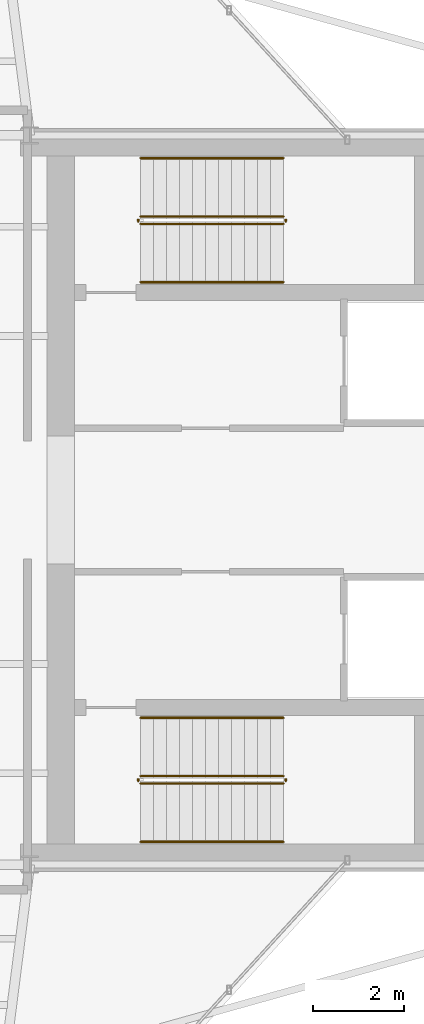
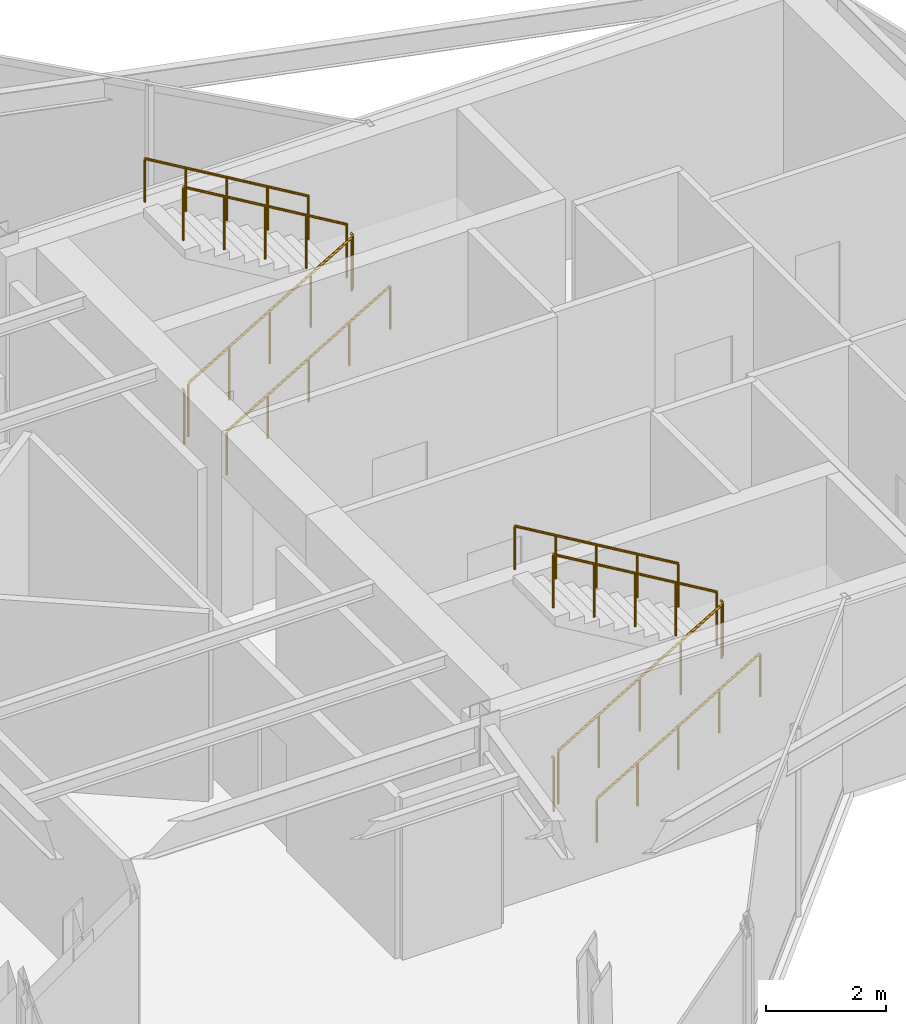
# One storey, part 13 of 13: 12 railings.
"""IFC4 building model written with IfcOpenShell, lengths in metres."""

from ifc_helpers import new_model, si_unit, direction, frame, origin, origin_2d, place, context, subcontext, project, spatial, circle, extrude, material, type_object, element, save


model = new_model("IFC4")

# Units and contexts
model_context = context("Model", 3, precision=1e-05, world=origin(), true_north=direction((0.0, 1.0)))
body_context = subcontext(model_context, "Body", "Model", "MODEL_VIEW")
ifc_project = project(units=[si_unit("LENGTHUNIT", "METRE"), si_unit("AREAUNIT", "SQUARE_METRE"), si_unit("VOLUMEUNIT", "CUBIC_METRE"), si_unit("PLANEANGLEUNIT", "RADIAN"), si_unit("MASSUNIT", "GRAM", prefix="KILO")], contexts=[model_context])

# Site, building, storey
site_placement = place(None, origin())
site = spatial("IfcSite", under=ifc_project, at=site_placement, CompositionType="ELEMENT")
building_placement = place(site_placement, origin())
building = spatial("IfcBuilding", under=site, at=building_placement, Name="Veymaron Broadcast Tower", CompositionType="ELEMENT")
storey_placement = place(building_placement, frame((0.0, 0.0, 287.10009765625)))
storey = spatial("IfcBuildingStorey", under=building, at=storey_placement, Name="L67", CompositionType="ELEMENT", Elevation=287.10009765625)

# Railings
ifc_material_1 = material(Name="Brushed stainless steel AISI 304", Category="steel")
railing_type_1 = type_object("IfcRailingType", Name="RAIL-STAIR-HR", PredefinedType="HANDRAIL", material=ifc_material_1)
railing_1_placement = place(storey_placement, frame((41.429931640625, 28.780029296875, 0.168701171875)))
element("IfcRailing", 1, at=railing_1_placement, inside=storey, type_object=railing_type_1, Name="L67 ST1 stair handrail 1", PredefinedType="HANDRAIL", context=body_context, shape_type="SweptSolid", body=[
    extrude(circle(Radius=0.02392578125, at=origin_2d()), frame((0.0, 0.0, 0.8759765625), z_axis=(0.860481960309, 0.0, 0.509480908359), x_axis=(0.0, 1.0, 0.0)), (0.0, 0.0, 1.0), 3.643310546875),
    extrude(circle(Radius=0.02099609375, at=origin_2d()), origin(), (0.0, 0.0, 1.0), 0.851806640625),
    extrude(circle(Radius=0.02099609375, at=origin_2d()), frame((0.78369140625, 0.0, 0.464111328125)), (0.0, 0.0, 1.0), 0.851806640625),
    extrude(circle(Radius=0.02099609375, at=origin_2d()), frame((1.5673828125, 0.0, 0.92822265625)), (0.0, 0.0, 1.0), 0.851806640625),
    extrude(circle(Radius=0.02099609375, at=origin_2d()), frame((2.351318359375, 0.0, 1.39208984375)), (0.0, 0.0, 1.0), 0.851806640625),
    extrude(circle(Radius=0.02099609375, at=origin_2d()), frame((3.135009765625, 0.0, 1.856201171875)), (0.0, 0.0, 1.0), 0.851806640625),
])
railing_2_placement = place(storey_placement, frame((44.56494140625, 31.5, 2.193603515625)))
element("IfcRailing", 2, at=railing_2_placement, inside=storey, type_object=railing_type_1, Name="L67 ST1 stair handrail 2", PredefinedType="HANDRAIL", context=body_context, shape_type="SweptSolid", body=[
    extrude(circle(Radius=0.02392578125, at=origin_2d()), frame((0.0, 0.0, 0.8759765625), z_axis=(-0.860481960309, 0.0, 0.509480908359), x_axis=(0.0, -1.0, 0.0)), (0.0, 0.0, 1.0), 3.643310546875),
    extrude(circle(Radius=0.02099609375, at=origin_2d()), origin(), (0.0, 0.0, 1.0), 0.851806640625),
    extrude(circle(Radius=0.02099609375, at=origin_2d()), frame((-0.78369140625, 0.0, 0.464111328125)), (0.0, 0.0, 1.0), 0.851806640625),
    extrude(circle(Radius=0.02099609375, at=origin_2d()), frame((-1.5673828125, 0.0, 0.92822265625)), (0.0, 0.0, 1.0), 0.851806640625),
    extrude(circle(Radius=0.02099609375, at=origin_2d()), frame((-2.351318359375, 0.0, 1.39208984375)), (0.0, 0.0, 1.0), 0.851806640625),
    extrude(circle(Radius=0.02099609375, at=origin_2d()), frame((-3.135009765625, 0.0, 1.856201171875)), (0.0, 0.0, 1.0), 0.851806640625),
])
railing_3_placement = place(storey_placement, frame((41.429931640625, 16.5, 0.168701171875)))
element("IfcRailing", 3, at=railing_3_placement, inside=storey, type_object=railing_type_1, Name="L67 ST2 stair handrail 1", PredefinedType="HANDRAIL", context=body_context, shape_type="SweptSolid", body=[
    extrude(circle(Radius=0.02392578125, at=origin_2d()), frame((0.0, 0.0, 0.8759765625), z_axis=(0.860481960309, 0.0, 0.509480908359), x_axis=(0.0, 1.0, 0.0)), (0.0, 0.0, 1.0), 3.643310546875),
    extrude(circle(Radius=0.02099609375, at=origin_2d()), origin(), (0.0, 0.0, 1.0), 0.851806640625),
    extrude(circle(Radius=0.02099609375, at=origin_2d()), frame((0.78369140625, 0.0, 0.464111328125)), (0.0, 0.0, 1.0), 0.851806640625),
    extrude(circle(Radius=0.02099609375, at=origin_2d()), frame((1.5673828125, 0.0, 0.92822265625)), (0.0, 0.0, 1.0), 0.851806640625),
    extrude(circle(Radius=0.02099609375, at=origin_2d()), frame((2.351318359375, 0.0, 1.39208984375)), (0.0, 0.0, 1.0), 0.851806640625),
    extrude(circle(Radius=0.02099609375, at=origin_2d()), frame((3.135009765625, 0.0, 1.856201171875)), (0.0, 0.0, 1.0), 0.851806640625),
])
railing_4_placement = place(storey_placement, frame((44.56494140625, 19.219970703125, 2.193603515625)))
element("IfcRailing", 4, at=railing_4_placement, inside=storey, type_object=railing_type_1, Name="L67 ST2 stair handrail 2", PredefinedType="HANDRAIL", context=body_context, shape_type="SweptSolid", body=[
    extrude(circle(Radius=0.02392578125, at=origin_2d()), frame((0.0, 0.0, 0.8759765625), z_axis=(-0.860481960309, 0.0, 0.509480908359), x_axis=(0.0, -1.0, 0.0)), (0.0, 0.0, 1.0), 3.643310546875),
    extrude(circle(Radius=0.02099609375, at=origin_2d()), origin(), (0.0, 0.0, 1.0), 0.851806640625),
    extrude(circle(Radius=0.02099609375, at=origin_2d()), frame((-0.78369140625, 0.0, 0.464111328125)), (0.0, 0.0, 1.0), 0.851806640625),
    extrude(circle(Radius=0.02099609375, at=origin_2d()), frame((-1.5673828125, 0.0, 0.92822265625)), (0.0, 0.0, 1.0), 0.851806640625),
    extrude(circle(Radius=0.02099609375, at=origin_2d()), frame((-2.351318359375, 0.0, 1.39208984375)), (0.0, 0.0, 1.0), 0.851806640625),
    extrude(circle(Radius=0.02099609375, at=origin_2d()), frame((-3.135009765625, 0.0, 1.856201171875)), (0.0, 0.0, 1.0), 0.851806640625),
])
ifc_material_2 = material(Name="Painted galvanized steel balustrade", Category="steel")
railing_type_2 = type_object("IfcRailingType", Name="RAIL-WELL-GRD", PredefinedType="GUARDRAIL", material=ifc_material_2)
railing_5_placement = place(storey_placement, frame((41.429931640625, 30.06005859375, 0.168701171875)))
element("IfcRailing", 5, at=railing_5_placement, inside=storey, type_object=railing_type_2, Name="L67 ST1 stair guard 1", PredefinedType="GUARDRAIL", context=body_context, shape_type="SweptSolid", body=[
    extrude(circle(Radius=0.02392578125, at=origin_2d()), frame((0.0, 0.0, 1.076171875), z_axis=(0.860481960309, 0.0, 0.509480908359), x_axis=(0.0, 1.0, 0.0)), (0.0, 0.0, 1.0), 3.643310546875),
    extrude(circle(Radius=0.02099609375, at=origin_2d()), origin(), (0.0, 0.0, 1.0), 1.052001953125),
    extrude(circle(Radius=0.02099609375, at=origin_2d()), frame((0.78369140625, 0.0, 0.464111328125)), (0.0, 0.0, 1.0), 1.052001953125),
    extrude(circle(Radius=0.02099609375, at=origin_2d()), frame((1.5673828125, 0.0, 0.92822265625)), (0.0, 0.0, 1.0), 1.052001953125),
    extrude(circle(Radius=0.02099609375, at=origin_2d()), frame((2.351318359375, 0.0, 1.39208984375)), (0.0, 0.0, 1.0), 1.052001953125),
    extrude(circle(Radius=0.02099609375, at=origin_2d()), frame((3.135009765625, 0.0, 1.856201171875)), (0.0, 0.0, 1.0), 1.052001953125),
])
railing_6_placement = place(storey_placement, frame((44.614990234375, 30.110107421875, 2.02490234375)))
element("IfcRailing", 6, at=railing_6_placement, inside=storey, type_object=railing_type_2, Name="L67 ST1 stair guard 2", PredefinedType="GUARDRAIL", context=body_context, shape_type="SweptSolid", body=[
    extrude(circle(Radius=0.02392578125, at=origin_2d()), frame((0.0, 0.0, 1.076171875), z_axis=(0.0, 1.0, 0.0), x_axis=(-1.0, 0.0, 0.0)), (0.0, 0.0, 1.0), 0.059814453125),
    extrude(circle(Radius=0.02099609375, at=origin_2d()), origin(), (0.0, 0.0, 1.0), 1.052001953125),
])
railing_7_placement = place(storey_placement, frame((44.56494140625, 30.219970703125, 2.193603515625)))
element("IfcRailing", 7, at=railing_7_placement, inside=storey, type_object=railing_type_2, Name="L67 ST1 stair guard 3", PredefinedType="GUARDRAIL", context=body_context, shape_type="SweptSolid", body=[
    extrude(circle(Radius=0.02392578125, at=origin_2d()), frame((0.0, 0.0, 1.076171875), z_axis=(-0.860481960309, 0.0, 0.509480908359), x_axis=(0.0, -1.0, 0.0)), (0.0, 0.0, 1.0), 3.643310546875),
    extrude(circle(Radius=0.02099609375, at=origin_2d()), origin(), (0.0, 0.0, 1.0), 1.052001953125),
    extrude(circle(Radius=0.02099609375, at=origin_2d()), frame((-0.78369140625, 0.0, 0.464111328125)), (0.0, 0.0, 1.0), 1.052001953125),
    extrude(circle(Radius=0.02099609375, at=origin_2d()), frame((-1.5673828125, 0.0, 0.92822265625)), (0.0, 0.0, 1.0), 1.052001953125),
    extrude(circle(Radius=0.02099609375, at=origin_2d()), frame((-2.351318359375, 0.0, 1.39208984375)), (0.0, 0.0, 1.0), 1.052001953125),
    extrude(circle(Radius=0.02099609375, at=origin_2d()), frame((-3.135009765625, 0.0, 1.856201171875)), (0.0, 0.0, 1.0), 1.052001953125),
])
railing_8_placement = place(storey_placement, frame((41.3798828125, 30.110107421875, 0.0)))
element("IfcRailing", 8, at=railing_8_placement, inside=storey, type_object=railing_type_2, Name="L67 ST1 stair guard 4", PredefinedType="GUARDRAIL", context=body_context, shape_type="SweptSolid", body=[
    extrude(circle(Radius=0.02392578125, at=origin_2d()), frame((0.0, 0.0, 1.076171875), z_axis=(0.0, 1.0, 0.0), x_axis=(-1.0, 0.0, 0.0)), (0.0, 0.0, 1.0), 0.059814453125),
    extrude(circle(Radius=0.02099609375, at=origin_2d()), origin(), (0.0, 0.0, 1.0), 1.052001953125),
])
railing_9_placement = place(storey_placement, frame((41.429931640625, 17.780029296875, 0.168701171875)))
element("IfcRailing", 9, at=railing_9_placement, inside=storey, type_object=railing_type_2, Name="L67 ST2 stair guard 1", PredefinedType="GUARDRAIL", context=body_context, shape_type="SweptSolid", body=[
    extrude(circle(Radius=0.02392578125, at=origin_2d()), frame((0.0, 0.0, 1.076171875), z_axis=(0.860481960309, 0.0, 0.509480908359), x_axis=(0.0, 1.0, 0.0)), (0.0, 0.0, 1.0), 3.643310546875),
    extrude(circle(Radius=0.02099609375, at=origin_2d()), origin(), (0.0, 0.0, 1.0), 1.052001953125),
    extrude(circle(Radius=0.02099609375, at=origin_2d()), frame((0.78369140625, 0.0, 0.464111328125)), (0.0, 0.0, 1.0), 1.052001953125),
    extrude(circle(Radius=0.02099609375, at=origin_2d()), frame((1.5673828125, 0.0, 0.92822265625)), (0.0, 0.0, 1.0), 1.052001953125),
    extrude(circle(Radius=0.02099609375, at=origin_2d()), frame((2.351318359375, 0.0, 1.39208984375)), (0.0, 0.0, 1.0), 1.052001953125),
    extrude(circle(Radius=0.02099609375, at=origin_2d()), frame((3.135009765625, 0.0, 1.856201171875)), (0.0, 0.0, 1.0), 1.052001953125),
])
railing_10_placement = place(storey_placement, frame((44.614990234375, 17.830078125, 2.02490234375)))
element("IfcRailing", 10, at=railing_10_placement, inside=storey, type_object=railing_type_2, Name="L67 ST2 stair guard 2", PredefinedType="GUARDRAIL", context=body_context, shape_type="SweptSolid", body=[
    extrude(circle(Radius=0.02392578125, at=origin_2d()), frame((0.0, 0.0, 1.076171875), z_axis=(0.0, 1.0, 0.0), x_axis=(-1.0, 0.0, 0.0)), (0.0, 0.0, 1.0), 0.059814453125),
    extrude(circle(Radius=0.02099609375, at=origin_2d()), origin(), (0.0, 0.0, 1.0), 1.052001953125),
])
railing_11_placement = place(storey_placement, frame((44.56494140625, 17.93994140625, 2.193603515625)))
element("IfcRailing", 11, at=railing_11_placement, inside=storey, type_object=railing_type_2, Name="L67 ST2 stair guard 3", PredefinedType="GUARDRAIL", context=body_context, shape_type="SweptSolid", body=[
    extrude(circle(Radius=0.02392578125, at=origin_2d()), frame((0.0, 0.0, 1.076171875), z_axis=(-0.860481960309, 0.0, 0.509480908359), x_axis=(0.0, -1.0, 0.0)), (0.0, 0.0, 1.0), 3.643310546875),
    extrude(circle(Radius=0.02099609375, at=origin_2d()), origin(), (0.0, 0.0, 1.0), 1.052001953125),
    extrude(circle(Radius=0.02099609375, at=origin_2d()), frame((-0.78369140625, 0.0, 0.464111328125)), (0.0, 0.0, 1.0), 1.052001953125),
    extrude(circle(Radius=0.02099609375, at=origin_2d()), frame((-1.5673828125, 0.0, 0.92822265625)), (0.0, 0.0, 1.0), 1.052001953125),
    extrude(circle(Radius=0.02099609375, at=origin_2d()), frame((-2.351318359375, 0.0, 1.39208984375)), (0.0, 0.0, 1.0), 1.052001953125),
    extrude(circle(Radius=0.02099609375, at=origin_2d()), frame((-3.135009765625, 0.0, 1.856201171875)), (0.0, 0.0, 1.0), 1.052001953125),
])
railing_12_placement = place(storey_placement, frame((41.3798828125, 17.830078125, 0.0)))
element("IfcRailing", 12, at=railing_12_placement, inside=storey, type_object=railing_type_2, Name="L67 ST2 stair guard 4", PredefinedType="GUARDRAIL", context=body_context, shape_type="SweptSolid", body=[
    extrude(circle(Radius=0.02392578125, at=origin_2d()), frame((0.0, 0.0, 1.076171875), z_axis=(0.0, 1.0, 0.0), x_axis=(-1.0, 0.0, 0.0)), (0.0, 0.0, 1.0), 0.059814453125),
    extrude(circle(Radius=0.02099609375, at=origin_2d()), origin(), (0.0, 0.0, 1.0), 1.052001953125),
])

save(model, "model.ifc")
